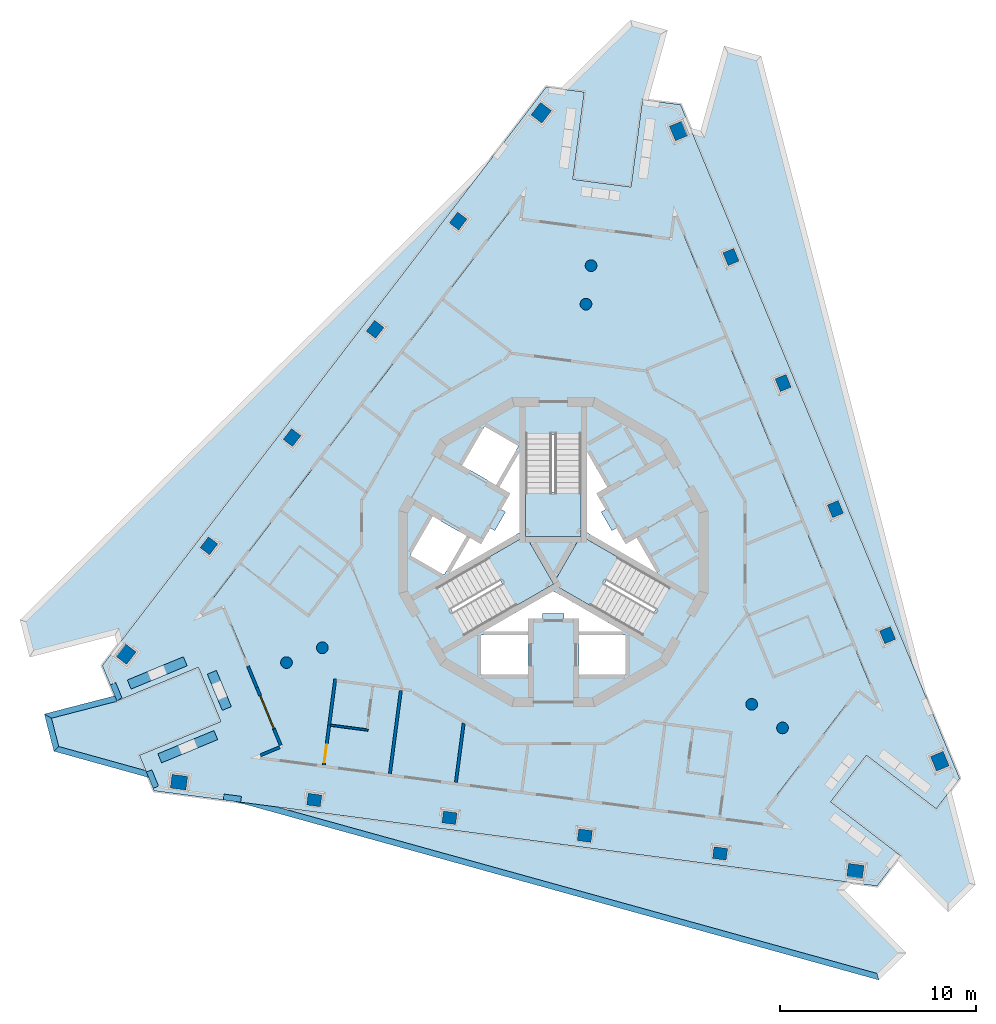
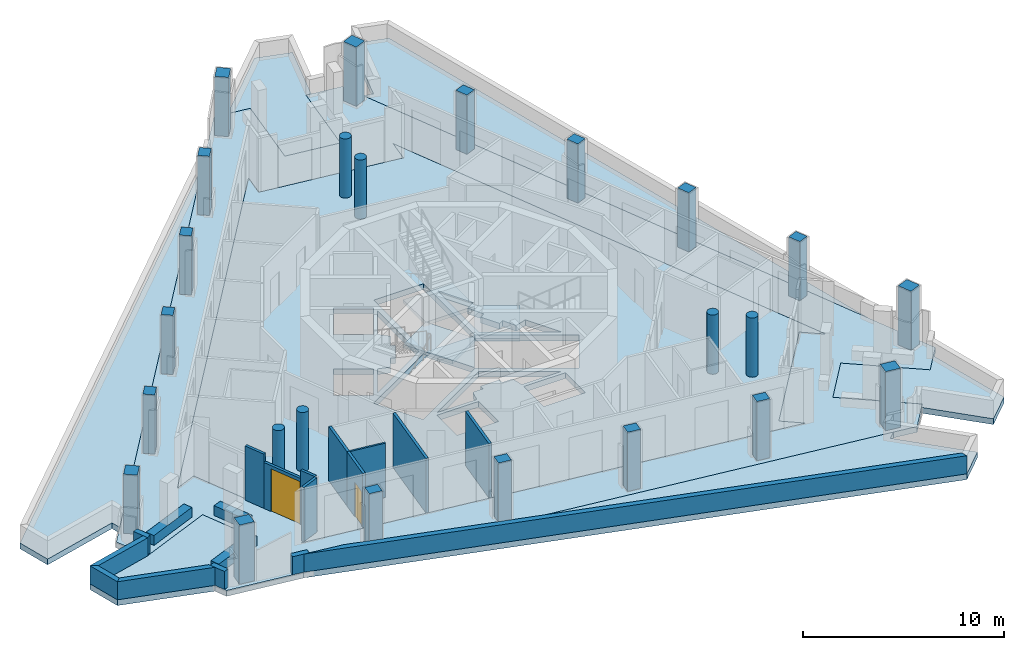
# One storey, part 1 of 12: 24 columns, 19 walls, 12 slabs, 2 doors, 2 openings, 3 elements without a shape of their own.
"""IFC4 building model written with IfcOpenShell, lengths in metres."""

from ifc_helpers import new_model, si_unit, direction, frame, frame_2d, origin, origin_2d, place, context, subcontext, project, spatial, polyline, rectangle, circle, outline, extrude, material, layer, layer_set, material_profile, profile_set, type_object, element, fill, aggregate, save


model = new_model("IFC4")

# Units and contexts
model_context = context("Model", 3, precision=1e-05, world=origin(), true_north=direction((0.0, 1.0)))
body_context = subcontext(model_context, "Body", "Model", "MODEL_VIEW")
ifc_project = project(units=[si_unit("LENGTHUNIT", "METRE"), si_unit("AREAUNIT", "SQUARE_METRE"), si_unit("VOLUMEUNIT", "CUBIC_METRE"), si_unit("PLANEANGLEUNIT", "RADIAN"), si_unit("MASSUNIT", "GRAM", prefix="KILO")], contexts=[model_context])

# Site, building, storey
site_placement = place(None, origin())
site = spatial("IfcSite", under=ifc_project, at=site_placement, CompositionType="ELEMENT")
building_placement = place(site_placement, origin())
building = spatial("IfcBuilding", under=site, at=building_placement, Name="Trine Commons Tower", CompositionType="ELEMENT")
storey_placement = place(building_placement, frame((0.0, 0.0, 271.800048828125)))
storey = spatial("IfcBuildingStorey", under=building, at=storey_placement, Name="L71", CompositionType="ELEMENT", Elevation=271.800048828125)

# Columns
ifc_material_1 = material(Name="Concrete C50/60", Category="concrete")
ifc_material_profile_1 = material_profile(ifc_material_1, rectangle(XDim=0.699951171875, YDim=0.60009765625, at=origin_2d()), Name="RC 700x600")
ifc_profile_set_1 = profile_set([ifc_material_profile_1], Name="Concrete C50/60")
column_type_1 = type_object("IfcColumnType", Name="RC column 700x600, C50/60", PredefinedType="COLUMN", material=ifc_profile_set_1)
for number, where, z_axis, x_axis, name in (
    (1, (88.521728515625, 47.098876953125, -0.35009765625), (0.0, 0.0, 1.0), (-0.991444861374, 0.13052619222, 0.0), "Column PC8-02 L71"),
    (2, (81.608642578125, 48.009033203125, -0.35009765625), (0.0, 0.0, 1.0), (-0.991444861374, 0.13052619222, 0.0), "Column PC8-03 L71"),
    (3, (74.695556640625, 48.919189453125, -0.35009765625), (0.0, 0.0, 1.0), (-0.991444861374, 0.13052619222, 0.0), "Column PC8-04 L71"),
    (4, (67.782470703125, 49.8291015625, -0.35009765625), (0.0, 0.0, 1.0), (-0.991444861374, 0.13052619222, 0.0), "Column PC8-05 L71"),
    (5, (62.4013671875, 62.820556640625, -0.35009765625), (0.0, 0.0, 1.0), (0.608761429009, 0.793353340291, 0.0), "Column PC8-08 L71"),
    (6, (66.64599609375, 68.352294921875, -0.35009765625), (0.0, 0.0, 1.0), (0.608761429009, 0.793353340291, 0.0), "Column PC8-09 L71"),
    (7, (70.890869140625, 73.88427734375, -0.35009765625), (0.0, 0.0, 1.0), (0.608761429009, 0.793353340291, 0.0), "Column PC8-10 L71"),
    (8, (75.135498046875, 79.416015625, -0.35009765625), (0.0, 0.0, 1.0), (0.608761429009, 0.793353340291, 0.0), "Column PC8-11 L71"),
    (9, (89.076904296875, 77.58056640625, -0.35009765625), (0.0, 0.0, 1.0), (-0.382683432365, 0.923879532511, 0.0), "Column PC8-14 L71"),
    (10, (91.745361328125, 71.138671875, -0.35009765625), (0.0, 0.0, 1.0), (-0.382683432365, 0.923879532511, 0.0), "Column PC8-15 L71"),
    (11, (94.41357421875, 64.69677734375, -0.35009765625), (0.0, 0.0, 1.0), (-0.382683432365, 0.923879532511, 0.0), "Column PC8-16 L71"),
    (12, (97.081787109375, 58.254638671875, -0.35009765625), (0.0, 0.0, 1.0), (-0.382683432365, 0.923879532511, 0.0), "Column PC8-17 L71"),
):
    element("IfcColumn", number, at=place(storey_placement, frame(where, z_axis=z_axis, x_axis=x_axis)), inside=storey, type_object=column_type_1, Name=name, PredefinedType="COLUMN", context=body_context, shape_type="SweptSolid", body=[
        extrude(rectangle(XDim=0.699951171875, YDim=0.60009765625, at=origin_2d()), origin(), (0.0, 0.0, 1.0), 3.949951171875),
    ])
ifc_material_profile_2 = material_profile(ifc_material_1, rectangle(XDim=0.800048828125, YDim=0.699951171875, at=origin_2d()), Name="RC 800x700")
ifc_profile_set_2 = profile_set([ifc_material_profile_2], Name="Concrete C50/60")
column_type_2 = type_object("IfcColumnType", Name="RC column 800x700, C50/60", PredefinedType="COLUMN", material=ifc_profile_set_2)
for number, where, z_axis, x_axis, name in (
    (13, (95.434814453125, 46.188720703125, -0.35009765625), (0.0, 0.0, 1.0), (-0.991444861374, 0.13052619222, 0.0), "Column PC8-01 L71"),
    (14, (60.869384765625, 50.7392578125, -0.35009765625), (0.0, 0.0, 1.0), (-0.991444861374, 0.13052619222, 0.0), "Column PC8-06 L71"),
    (15, (58.156494140625, 57.288818359375, -0.35009765625), (0.0, 0.0, 1.0), (0.608761429009, 0.793353340291, 0.0), "Column PC8-07 L71"),
    (16, (79.380126953125, 84.947998046875, -0.35009765625), (0.0, 0.0, 1.0), (0.608761429009, 0.793353340291, 0.0), "Column PC8-12 L71"),
    (17, (86.40869140625, 84.022705078125, -0.35009765625), (0.0, 0.0, 1.0), (-0.382683432365, 0.923879532511, 0.0), "Column PC8-13 L71"),
    (18, (99.750244140625, 51.812744140625, -0.35009765625), (0.0, 0.0, 1.0), (-0.382683432365, 0.923879532511, 0.0), "Column PC8-18 L71"),
):
    element("IfcColumn", number, at=place(storey_placement, frame(where, z_axis=z_axis, x_axis=x_axis)), inside=storey, type_object=column_type_2, Name=name, PredefinedType="COLUMN", context=body_context, shape_type="SweptSolid", body=[
        extrude(rectangle(XDim=0.800048828125, YDim=0.699951171875, at=origin_2d()), origin(), (0.0, 0.0, 1.0), 3.949951171875),
    ])
ifc_material_profile_3 = material_profile(ifc_material_1, circle(Radius=0.300048828125, at=origin_2d()), Name="RC round 600")
ifc_profile_set_3 = profile_set([ifc_material_profile_3], Name="Concrete C50/60")
column_type_3 = type_object("IfcColumnType", Name="RC round column 600 mm, C50/60", PredefinedType="COLUMN", material=ifc_profile_set_3)
for number, where, z_axis, x_axis, name in (
    (19, (90.137451171875, 54.72119140625, -0.35009765625), (0.0, 0.0, 1.0), (1.0, 0.0, 0.0), "Column WC8-1 L71"),
    (20, (91.711669921875, 53.513427734375, -0.35009765625), (0.0, 0.0, 1.0), (1.0, 0.0, 0.0), "Column WC8-2 L71"),
    (21, (81.66796875, 75.168701171875, -0.35009765625), (0.0, 0.0, 1.0), (1.0, 0.0, 0.0), "Column WC8-3 L71"),
    (22, (81.927001953125, 77.135986328125, -0.35009765625), (0.0, 0.0, 1.0), (1.0, 0.0, 0.0), "Column WC8-4 L71"),
    (23, (68.194580078125, 57.610107421875, -0.35009765625), (0.0, 0.0, 1.0), (1.0, 0.0, 0.0), "Column WC8-5 L71"),
    (24, (66.361572265625, 56.850830078125, -0.35009765625), (0.0, 0.0, 1.0), (1.0, 0.0, 0.0), "Column WC8-6 L71"),
):
    element("IfcColumn", number, at=place(storey_placement, frame(where, z_axis=z_axis, x_axis=x_axis)), inside=storey, type_object=column_type_3, Name=name, PredefinedType="COLUMN", context=body_context, shape_type="SweptSolid", body=[
        extrude(circle(Radius=0.300048828125, at=origin_2d()), origin(), (0.0, 0.0, 1.0), 3.949951171875),
    ])

# Slabs
ifc_material_2 = material(Name="Concrete C40/50", Category="concrete")
ifc_layer_1 = layer(ifc_material_2, 0.35009765625)
ifc_layer_set_1 = layer_set([ifc_layer_1], Name="Concrete C40/50")
slab_type_1 = type_object("IfcSlabType", Name="Loggia slab 350 mm, C40/50", PredefinedType="FLOOR", material=ifc_layer_set_1)
slab_1_placement = place(storey_placement, frame((0.0, 0.0, -0.35009765625)))
element("IfcSlab", 25, at=slab_1_placement, inside=storey, type_object=slab_type_1, Name="Loggia slab L71", PredefinedType="FLOOR", context=body_context, shape_type="SweptSolid", body=[
    extrude(outline(polyline([(100.763916015625, 50.933837890625), (86.503662109375, 85.36083984375), (84.556396484375, 85.6171875), (83.968994140625, 81.15576171875), (80.99462890625, 81.54736328125), (81.58203125, 86.0087890625), (79.634765625, 86.26513671875), (56.9501953125, 56.701904296875), (57.70166015625, 54.88720703125), (61.859130859375, 56.609375), (63.007080078125, 53.837890625), (58.849853515625, 52.11572265625), (59.601318359375, 50.301025390625), (96.546142578125, 45.437255859375), (97.741943359375, 46.99560546875), (94.171875, 49.73486328125), (95.998046875, 52.114990234375), (99.568115234375, 49.37548828125), (100.763916015625, 50.933837890625)]), holes=[polyline([(63.158203125, 59.7451171875), (66.14306640625, 52.538818359375), (64.900390625, 52.024169921875), (91.873779296875, 48.47314453125), (90.806640625, 49.2919921875), (95.55517578125, 55.47998046875), (96.6220703125, 54.6611328125), (86.210693359375, 79.79638671875), (86.03515625, 78.462890625), (78.302001953125, 79.481201171875), (78.4775390625, 80.814697265625), (61.915283203125, 59.23046875), (63.158203125, 59.7451171875)])]), origin(), (0.0, 0.0, 1.0), 0.35009765625),
])
ifc_layer_2 = layer(ifc_material_2, 0.35009765625)
ifc_layer_set_2 = layer_set([ifc_layer_2], Name="Concrete C40/50")
slab_type_2 = type_object("IfcSlabType", Name="PT flat slab 350 mm, C40/50", PredefinedType="FLOOR", material=ifc_layer_set_2)
slab_2_placement = place(storey_placement, frame((0.0, 0.0, -0.35009765625)))
element("IfcSlab", 26, at=slab_2_placement, inside=storey, type_object=slab_type_2, Name="Floor slab L71", PredefinedType="FLOOR", context=body_context, shape_type="SweptSolid", body=[
    extrude(outline(polyline([(61.915283203125, 59.23046875), (63.158203125, 59.7451171875), (66.14306640625, 52.538818359375), (64.900390625, 52.024169921875), (91.873779296875, 48.47314453125), (90.806640625, 49.2919921875), (95.55517578125, 55.47998046875), (96.6220703125, 54.6611328125), (86.210693359375, 79.79638671875), (86.03515625, 78.462890625), (78.302001953125, 79.481201171875), (78.4775390625, 80.814697265625), (61.915283203125, 59.23046875)]), holes=[polyline([(78.699951171875, 56.25), (78.699951171875, 58.25), (76.300048828125, 58.25), (76.300048828125, 56.25), (78.699951171875, 56.25)]), polyline([(83.699951171875, 56.25), (83.699951171875, 58.25), (81.300048828125, 58.25), (81.300048828125, 56.25), (83.699951171875, 56.25)]), polyline([(81.300048828125, 58.449951171875), (83.56494140625, 58.449951171875), (80.0, 60.508056640625), (76.43505859375, 58.449951171875), (78.699951171875, 58.449951171875), (78.85009765625, 59.10009765625), (79.449951171875, 59.10009765625), (79.449951171875, 59.360107421875), (80.550048828125, 59.360107421875), (80.550048828125, 59.10009765625), (81.14990234375, 59.10009765625), (81.300048828125, 58.449951171875)]), polyline([(81.425048828125, 63.32275390625), (81.425048828125, 68.490478515625), (78.574951171875, 68.490478515625), (78.574951171875, 63.32275390625), (74.099609375, 60.73876953125), (75.5244140625, 58.2705078125), (80.0, 60.8544921875), (84.4755859375, 58.2705078125), (85.900390625, 60.73876953125), (81.425048828125, 63.32275390625)]), polyline([(72.687255859375, 62.333984375), (74.41943359375, 61.333984375), (75.5693359375, 63.325927734375), (73.83740234375, 64.325927734375), (72.687255859375, 62.333984375)]), polyline([(76.381103515625, 63.031005859375), (75.742919921875, 63.22607421875), (74.7099609375, 61.43798828125), (78.27490234375, 63.49609375), (78.27490234375, 67.612060546875), (77.242919921875, 65.823974609375), (77.73095703125, 65.368896484375), (77.3310546875, 64.676025390625), (77.555908203125, 64.5458984375), (77.006103515625, 63.593994140625), (76.781005859375, 63.722900390625), (76.381103515625, 63.031005859375)]), polyline([(82.993896484375, 63.593994140625), (82.444091796875, 64.5458984375), (82.72705078125, 64.7099609375), (82.281005859375, 65.549072265625), (82.757080078125, 65.823974609375), (81.72509765625, 67.612060546875), (81.72509765625, 63.49609375), (85.2900390625, 61.43798828125), (84.257080078125, 63.22607421875), (83.618896484375, 63.031005859375), (83.243896484375, 63.738037109375), (82.993896484375, 63.593994140625)]), polyline([(76.4873046875, 68.916015625), (75.33740234375, 66.924072265625), (77.0693359375, 65.924072265625), (78.219482421875, 67.916015625), (76.4873046875, 68.916015625)])]), origin(), (0.0, 0.0, 1.0), 0.35009765625),
])
slab_3_placement = place(storey_placement, frame((0.0, 0.0, -0.35009765625)))
element("IfcSlab", 27, at=slab_3_placement, inside=storey, type_object=slab_type_2, Name="Floor slab L71 2", PredefinedType="FLOOR", context=body_context, shape_type="SweptSolid", body=[
    extrude(outline(polyline([(81.38671875, 63.300537109375), (78.61328125, 63.300537109375), (80.0, 60.89892578125), (81.38671875, 63.300537109375)])), origin(), (0.0, 0.0, 1.0), 0.35009765625),
])
ifc_layer_3 = layer(ifc_material_2, 0.35009765625)
ifc_layer_set_3 = layer_set([ifc_layer_3], Name="Concrete C40/50")
slab_type_3 = type_object("IfcSlabType", Name="Roof slab 350 mm, C40/50", PredefinedType="ROOF", material=ifc_layer_set_3)
slab_4_placement = place(storey_placement, frame((0.0, 0.0, -0.35009765625)))
element("IfcSlab", 28, at=slab_4_placement, inside=storey, type_object=slab_type_3, Name="Roof slab L71 1", PredefinedType="ROOF", context=body_context, shape_type="SweptSolid", body=[
    extrude(outline(polyline([(59.3203125, 50.979736328125), (58.849853515625, 52.11572265625), (63.007080078125, 53.837890625), (61.859130859375, 56.609375), (57.70166015625, 54.88720703125), (57.5908203125, 55.1552734375), (53.98828125, 54.2236328125), (54.47998046875, 52.322021484375), (59.3203125, 50.979736328125)])), origin(), (0.0, 0.0, 1.0), 0.35009765625),
])
slab_5_placement = place(storey_placement, frame((0.0, 0.0, -0.35009765625)))
element("IfcSlab", 29, at=slab_5_placement, inside=storey, type_object=slab_type_3, Name="Roof slab L71 2", PredefinedType="ROOF", context=body_context, shape_type="SweptSolid", body=[
    extrude(outline(polyline([(57.73193359375, 57.720703125), (77.102783203125, 82.965576171875), (52.745361328125, 59.029541015625), (53.2373046875, 57.1279296875), (57.593994140625, 58.254638671875), (57.73193359375, 57.720703125)])), origin(), (0.0, 0.0, 1.0), 0.35009765625),
])
slab_6_placement = place(storey_placement, frame((0.0, 0.0, -0.35009765625)))
element("IfcSlab", 30, at=slab_6_placement, inside=storey, type_object=slab_type_3, Name="Roof slab L71 3", PredefinedType="ROOF", context=body_context, shape_type="SweptSolid", body=[
    extrude(outline(polyline([(80.363037109375, 86.169189453125), (81.58203125, 86.0087890625), (80.99462890625, 81.54736328125), (83.968994140625, 81.15576171875), (84.556396484375, 85.6171875), (84.843994140625, 85.579345703125), (85.838134765625, 89.1650390625), (83.945556640625, 89.68994140625), (80.363037109375, 86.169189453125)])), origin(), (0.0, 0.0, 1.0), 0.35009765625),
])
slab_7_placement = place(storey_placement, frame((0.0, 0.0, -0.35009765625)))
element("IfcSlab", 31, at=slab_7_placement, inside=storey, type_object=slab_type_3, Name="Roof slab L71 4", PredefinedType="ROOF", context=body_context, shape_type="SweptSolid", body=[
    extrude(outline(polyline([(95.27294921875, 45.60498046875), (63.724853515625, 49.75830078125), (96.6328125, 40.632080078125), (98.03369140625, 42.0087890625), (94.879638671875, 45.218505859375), (95.27294921875, 45.60498046875)])), origin(), (0.0, 0.0, 1.0), 0.35009765625),
])
slab_8_placement = place(storey_placement, frame((0.0, 0.0, -0.35009765625)))
element("IfcSlab", 32, at=slab_8_placement, inside=storey, type_object=slab_type_3, Name="Roof slab L71 5", PredefinedType="ROOF", context=body_context, shape_type="SweptSolid", body=[
    extrude(outline(polyline([(86.9951171875, 84.17431640625), (99.17236328125, 54.776123046875), (90.621826171875, 87.83837890625), (88.72900390625, 88.36328125), (87.526611328125, 84.02685546875), (86.9951171875, 84.17431640625)])), origin(), (0.0, 0.0, 1.0), 0.35009765625),
])
slab_9_placement = place(storey_placement, frame((0.0, 0.0, -0.35009765625)))
element("IfcSlab", 33, at=slab_9_placement, inside=storey, type_object=slab_type_3, Name="Roof slab L71 6", PredefinedType="ROOF", context=body_context, shape_type="SweptSolid", body=[
    extrude(outline(polyline([(101.57421875, 45.488037109375), (100.316650390625, 50.35107421875), (99.568115234375, 49.37548828125), (95.998046875, 52.114990234375), (94.171875, 49.73486328125), (97.741943359375, 46.99560546875), (97.5654296875, 46.765380859375), (100.17333984375, 44.111572265625), (101.57421875, 45.488037109375)])), origin(), (0.0, 0.0, 1.0), 0.35009765625),
])

# Stair, slab
stair_type = type_object("IfcStairType", Name="Exit stair, dog-leg, 24 risers of 150 mm", PredefinedType="HALF_TURN_STAIR", material=ifc_material_1)
stair_1_placement = place(storey_placement, origin())
stair_1 = element("IfcStair", 34, at=stair_1_placement, inside=storey, type_object=stair_type, Name="L71 Exit stair ST1D", PredefinedType="HALF_TURN_STAIR")
ifc_layer_4 = layer(ifc_material_1, 0.199951171875)
ifc_layer_set_4 = layer_set([ifc_layer_4], Name="Concrete C50/60")
slab_type_4 = type_object("IfcSlabType", Name="Stair landing slab 200 mm, C50/60", PredefinedType="LANDING", material=ifc_layer_set_4)
slab_10_placement = place(storey_placement, frame((0.0, 0.0, 1.599853515625)))
slab_10 = element("IfcSlab", 35, at=slab_10_placement, type_object=slab_type_4, Name="ST1D landing 1", PredefinedType="LANDING", context=body_context, shape_type="SweptSolid", body=[
    extrude(outline(polyline([(78.574951171875, 65.570556640625), (78.574951171875, 63.300537109375), (81.425048828125, 63.300537109375), (81.425048828125, 65.570556640625), (78.574951171875, 65.570556640625)])), origin(), (0.0, 0.0, 1.0), 0.2001953125),
])
aggregate(stair_1, [slab_10])

stair_2_placement = place(storey_placement, origin())
stair_2 = element("IfcStair", 36, at=stair_2_placement, inside=storey, type_object=stair_type, Name="L71 Exit stair ST2D", PredefinedType="HALF_TURN_STAIR")
slab_11_placement = place(storey_placement, frame((0.0, 0.0, 1.599853515625)))
slab_11 = element("IfcSlab", 37, at=slab_11_placement, type_object=slab_type_4, Name="ST2D landing 1", PredefinedType="LANDING", context=body_context, shape_type="SweptSolid", body=[
    extrude(outline(polyline([(78.05322265625, 59.730712890625), (80.019287109375, 60.86572265625), (78.59423828125, 63.333740234375), (76.628173828125, 62.19873046875), (78.05322265625, 59.730712890625)])), origin(), (0.0, 0.0, 1.0), 0.2001953125),
])
aggregate(stair_2, [slab_11])

stair_3_placement = place(storey_placement, origin())
stair_3 = element("IfcStair", 38, at=stair_3_placement, inside=storey, type_object=stair_type, Name="L71 Exit stair ST3D", PredefinedType="HALF_TURN_STAIR")
slab_12_placement = place(storey_placement, frame((0.0, 0.0, 1.599853515625)))
slab_12 = element("IfcSlab", 39, at=slab_12_placement, type_object=slab_type_4, Name="ST3D landing 1", PredefinedType="LANDING", context=body_context, shape_type="SweptSolid", body=[
    extrude(outline(polyline([(83.371826171875, 62.19873046875), (81.40576171875, 63.333740234375), (79.980712890625, 60.86572265625), (81.94677734375, 59.730712890625), (83.371826171875, 62.19873046875)])), origin(), (0.0, 0.0, 1.0), 0.2001953125),
])
aggregate(stair_3, [slab_12])

# Walls
ifc_material_3 = material(Name="Aluminium-framed insulated wall panel", Category="aluminium")
ifc_layer_5 = layer(ifc_material_3, 0.14990234375)
ifc_layer_set_5 = layer_set([ifc_layer_5], Name="Aluminium-framed insulated wall panel")
wall_type_1 = type_object("IfcWallType", Name="Glazed frame wall 150, EI 60", PredefinedType="SOLIDWALL", material=ifc_layer_set_5)
wall_1_placement = place(storey_placement, frame((64.886962890625, 52.056396484375, 0.0), z_axis=(0.0, 0.0, 1.0), x_axis=(0.923837625967, 0.382784588048, 0.0)))
element("IfcWall", 40, at=wall_1_placement, inside=storey, type_object=wall_type_1, Name="Glazed frame wall R10", PredefinedType="SOLIDWALL", context=body_context, shape_type="SweptSolid", body=[
    extrude(outline(polyline([(0.1494140625, 0.074951171875), (0.1494140625, -0.074951171875), (1.235107421875, -0.074951171875), (1.235107421875, 0.074951171875), (0.1494140625, 0.074951171875)])), origin(), (0.0, 0.0, 1.0), 3.300048828125),
])
wall_2_placement = place(storey_placement, frame((66.110595703125, 52.525390625, 0.0), z_axis=(0.0, 0.0, 1.0), x_axis=(-0.382517086072, 0.923948417858, 0.0)))
element("IfcWall", 41, at=wall_2_placement, inside=storey, type_object=wall_type_1, Name="Glazed frame wall P3.1", PredefinedType="SOLIDWALL", context=body_context, shape_type="SweptSolid", body=[
    extrude(outline(polyline([(0.110107421875, -0.074951171875), (1.0, -0.074951171875), (1.0, 0.074951171875), (0.110107421875, 0.074951171875), (0.110107421875, -0.074951171875)])), origin(), (0.0, 0.0, 1.0), 3.300048828125),
])

# Wall, opening, door
wall_3_placement = place(storey_placement, frame((65.72802734375, 53.449462890625, 0.0), z_axis=(0.0, 0.0, 1.0), x_axis=(-0.382693948857, 0.923875176368, 0.0)))
wall_3 = element("IfcWall", 42, at=wall_3_placement, inside=storey, type_object=wall_type_1, Name="Glazed frame wall P3.2", PredefinedType="SOLIDWALL", context=body_context, shape_type="SweptSolid", body=[
    extrude(outline(polyline([(0.0, -0.074951171875), (2.310791015625, -0.074951171875), (2.310791015625, 0.074951171875), (0.0, 0.074951171875), (0.0, -0.074951171875)])), origin(), (0.0, 0.0, 1.0), 2.800048828125),
])
opening_1_placement = place(wall_3_placement, frame((0.050048828125, 0.0, 0.0)))
opening_1 = element("IfcOpeningElement", 43, at=opening_1_placement, cuts=wall_3, Name="Opening BD-8P3-01", PredefinedType="OPENING", context=body_context, shape_type="SweptSolid", body=[
    extrude(rectangle(XDim=1.800048828125, YDim=2.60009765625, at=frame_2d((0.89990234375, 1.300048828125))), frame((0.0, 0.0849609375, 0.0), z_axis=(0.0, -1.0, 0.0), x_axis=(1.0, 0.0, 0.0)), (0.0, 0.0, 1.0), 0.169921875),
])
ifc_material_4 = material(Name="Anodised aluminium frame with double glazing", Category="aluminium")
door_type_1 = type_object("IfcDoorType", Name="Sliding loggia door 1800x2600", OperationType="SLIDING_TO_LEFT", PredefinedType="DOOR", material=ifc_material_4)
door_1_placement = place(opening_1_placement, origin())
door_1 = element("IfcDoor", 44, at=door_1_placement, inside=storey, type_object=door_type_1, Name="Loggia door P3 1", OperationType="SLIDING_TO_LEFT", OverallHeight=2.60009765625, OverallWidth=1.800048828125, PredefinedType="DOOR", context=body_context, shape_type="SweptSolid", body=[
    extrude(rectangle(XDim=1.800048828125, YDim=2.60009765625, at=frame_2d((0.89990234375, 1.300048828125))), frame((0.0, 0.02490234375, 0.0), z_axis=(0.0, -1.0, 0.0), x_axis=(1.0, 0.0, 0.0)), (0.0, 0.0, 1.0), 0.050048828125),
])
fill(opening_1, door_1)

# Walls
wall_4_placement = place(storey_placement, frame((64.84375, 55.584228515625, 0.0), z_axis=(0.0, 0.0, 1.0), x_axis=(-0.382790839847, 0.923835035561, 0.0)))
element("IfcWall", 45, at=wall_4_placement, inside=storey, type_object=wall_type_1, Name="Glazed frame wall P3.3", PredefinedType="SOLIDWALL", context=body_context, shape_type="SweptSolid", body=[
    extrude(outline(polyline([(0.0, -0.074951171875), (1.1787109375, -0.074951171875), (1.1787109375, 0.074951171875), (0.0, 0.074951171875), (0.0, -0.074951171875)])), origin(), (0.0, 0.0, 1.0), 3.300048828125),
])
ifc_material_5 = material(Name="Planter trough, precast concrete C40/50", Category="concrete")
ifc_layer_6 = layer(ifc_material_5, 0.5)
ifc_layer_set_6 = layer_set([ifc_layer_6], Name="Planter trough, precast concrete C40/50")
wall_type_2 = type_object("IfcWallType", Name="Planter trough 500x600", PredefinedType="PARAPET", material=ifc_layer_set_6)
wall_5_placement = place(storey_placement, frame((59.887939453125, 51.961181640625, 0.0), z_axis=(0.0, 0.0, 1.0), x_axis=(0.923883411188, 0.382674068277, 0.0)))
element("IfcWall", 46, at=wall_5_placement, inside=storey, type_object=wall_type_2, Name="Planter 1", PredefinedType="PARAPET", context=body_context, shape_type="SweptSolid", body=[
    extrude(rectangle(XDim=3.099853515625, YDim=0.5, at=frame_2d((1.5498046875, 0.0))), origin(), (0.0, 0.0, 1.0), 0.599853515625),
])
wall_6_placement = place(storey_placement, frame((63.314697265625, 54.50634765625, 0.0), z_axis=(0.0, 0.0, 1.0), x_axis=(-0.382707581205, 0.923869529365, 0.0)))
element("IfcWall", 47, at=wall_6_placement, inside=storey, type_object=wall_type_2, Name="Planter 2", PredefinedType="PARAPET", context=body_context, shape_type="SweptSolid", body=[
    extrude(rectangle(XDim=2.0, YDim=0.5, at=frame_2d((1.0, 0.0))), origin(), (0.0, 0.0, 1.0), 0.599853515625),
])
wall_7_placement = place(storey_placement, frame((61.190673828125, 56.9169921875, 0.0), z_axis=(0.0, 0.0, 1.0), x_axis=(-0.923883411188, -0.382674068277, 0.0)))
element("IfcWall", 48, at=wall_7_placement, inside=storey, type_object=wall_type_2, Name="Planter 3", PredefinedType="PARAPET", context=body_context, shape_type="SweptSolid", body=[
    extrude(rectangle(XDim=3.099853515625, YDim=0.5, at=frame_2d((1.5498046875, 0.0))), origin(), (0.0, 0.0, 1.0), 0.599853515625),
])
ifc_material_6 = material(Name="Limestone, honed", Category="masonry")
ifc_layer_7 = layer(ifc_material_6, 0.300048828125)
ifc_layer_set_7 = layer_set([ifc_layer_7], Name="Limestone, honed")
wall_type_3 = type_object("IfcWallType", Name="Stone parapet 300", PredefinedType="PARAPET", material=ifc_layer_set_7)
wall_8_placement = place(storey_placement, origin())
element("IfcWall", 49, at=wall_8_placement, inside=storey, type_object=wall_type_3, Name="Sliver roof parapet L70 1.1", PredefinedType="PARAPET", context=body_context, shape_type="SweptSolid", body=[
    extrude(outline(polyline([(57.5908203125, 55.1552734375), (53.98828125, 54.2236328125), (54.35400390625, 54.00830078125), (57.706787109375, 54.875244140625), (57.5908203125, 55.1552734375)])), origin(), (0.0, 0.0, 1.0), 1.099853515625),
])
wall_9_placement = place(storey_placement, origin())
element("IfcWall", 50, at=wall_9_placement, inside=storey, type_object=wall_type_3, Name="Sliver roof parapet L70 1.2", PredefinedType="PARAPET", context=body_context, shape_type="SweptSolid", body=[
    extrude(outline(polyline([(53.98828125, 54.2236328125), (54.47998046875, 52.322021484375), (54.727294921875, 52.564697265625), (54.35400390625, 54.00830078125), (53.98828125, 54.2236328125)])), origin(), (0.0, 0.0, 1.0), 1.099853515625),
])
wall_10_placement = place(storey_placement, origin())
element("IfcWall", 51, at=wall_10_placement, inside=storey, type_object=wall_type_3, Name="Sliver roof parapet L70 1.3", PredefinedType="PARAPET", context=body_context, shape_type="SweptSolid", body=[
    extrude(outline(polyline([(54.47998046875, 52.322021484375), (59.3203125, 50.979736328125), (59.174560546875, 51.331298828125), (54.727294921875, 52.564697265625), (54.47998046875, 52.322021484375)])), origin(), (0.0, 0.0, 1.0), 1.099853515625),
])
wall_11_placement = place(storey_placement, origin())
element("IfcWall", 52, at=wall_11_placement, inside=storey, type_object=wall_type_3, Name="Sliver roof parapet extension L70 1.X1", PredefinedType="PARAPET", context=body_context, shape_type="SweptSolid", body=[
    extrude(outline(polyline([(57.568603515625, 55.208740234375), (57.6865234375, 54.92431640625), (57.711181640625, 54.89111328125), (57.711181640625, 54.89111328125), (57.95166015625, 55.0703125), (57.949462890625, 55.073486328125), (57.63818359375, 55.82421875), (57.361083984375, 55.70947265625), (57.568603515625, 55.208740234375)])), origin(), (0.0, 0.0, 1.0), 1.099853515625),
])
wall_12_placement = place(storey_placement, origin())
element("IfcWall", 53, at=wall_12_placement, inside=storey, type_object=wall_type_3, Name="Sliver roof parapet extension L70 1.X2", PredefinedType="PARAPET", context=body_context, shape_type="SweptSolid", body=[
    extrude(outline(polyline([(59.5498046875, 50.42529296875), (59.8271484375, 50.540283203125), (59.482666015625, 51.37158203125), (59.20556640625, 51.2568359375), (59.337646484375, 50.937744140625), (59.5498046875, 50.42529296875)])), origin(), (0.0, 0.0, 1.0), 1.099853515625),
])
wall_13_placement = place(storey_placement, origin())
element("IfcWall", 54, at=wall_13_placement, inside=storey, type_object=wall_type_3, Name="Sliver roof parapet L70 4.1", PredefinedType="PARAPET", context=body_context, shape_type="SweptSolid", body=[
    extrude(outline(polyline([(63.724853515625, 49.75830078125), (96.6328125, 40.632080078125), (96.546142578125, 40.967529296875), (65.862060546875, 49.476806640625), (63.724853515625, 49.75830078125)])), origin(), (0.0, 0.0, 1.0), 1.099853515625),
])
wall_14_placement = place(storey_placement, origin())
element("IfcWall", 55, at=wall_14_placement, inside=storey, type_object=wall_type_3, Name="Sliver roof parapet extension L70 4.X1", PredefinedType="PARAPET", context=body_context, shape_type="SweptSolid", body=[
    extrude(outline(polyline([(63.169189453125, 50.134033203125), (63.1298828125, 49.836669921875), (64.022216796875, 49.718994140625), (64.061279296875, 50.0166015625), (63.169189453125, 50.134033203125)])), origin(), (0.0, 0.0, 1.0), 1.099853515625),
])

# Wall, opening, door
ifc_material_7 = material(Name="Gypsum plasterboard on steel stud", Category="steel")
ifc_layer_8 = layer(ifc_material_7, 0.14990234375)
ifc_layer_set_8 = layer_set([ifc_layer_8], Name="Gypsum plasterboard on steel stud")
wall_type_4 = type_object("IfcWallType", Name="Unit and corridor wall 150 mm, EI 60", PredefinedType="PARTITIONING", material=ifc_layer_set_8)
wall_15_placement = place(storey_placement, frame((68.277099609375, 51.61962890625, 0.0), z_axis=(0.0, 0.0, 1.0), x_axis=(0.130234200459, 0.991483259077, 0.0)))
wall_15 = element("IfcWall", 56, at=wall_15_placement, inside=storey, type_object=wall_type_4, Name="Partition 007", PredefinedType="PARTITIONING", context=body_context, shape_type="SweptSolid", body=[
    extrude(rectangle(XDim=2.06396484375, YDim=0.14990234375, at=frame_2d((1.031982421875, 0.0))), origin(), (0.0, 0.0, 1.0), 3.300048828125),
])
opening_2_placement = place(wall_15_placement, frame((0.14990234375, 0.0, 0.0)))
opening_2 = element("IfcOpeningElement", 57, at=opening_2_placement, cuts=wall_15, Name="Opening D-8A19", PredefinedType="OPENING", context=body_context, shape_type="SweptSolid", body=[
    extrude(rectangle(XDim=0.89990234375, YDim=2.10009765625, at=frame_2d((0.449951171875, 1.050048828125))), frame((0.0, 0.0849609375, 0.0), z_axis=(0.0, -1.0, 0.0), x_axis=(1.0, 0.0, 0.0)), (0.0, 0.0, 1.0), 0.169921875),
])
ifc_material_8 = material(Name="Timber fire door set", Category="wood")
door_type_2 = type_object("IfcDoorType", Name="Bedroom door 900 x 2100, FD30S", OperationType="NOTDEFINED", PredefinedType="DOOR", material=ifc_material_8)
door_2_placement = place(opening_2_placement, frame((0.89990234375, 0.0, 0.0), z_axis=(0.0, 0.0, 1.0), x_axis=(-1.0, 0.0, 0.0)))
door_2 = element("IfcDoor", 58, at=door_2_placement, inside=storey, type_object=door_type_2, Name="Door D-8A19", OperationType="SINGLE_SWING_RIGHT", OverallHeight=2.10009765625, OverallWidth=0.89990234375, PredefinedType="DOOR", context=body_context, shape_type="SweptSolid", body=[
    extrude(rectangle(XDim=0.89990234375, YDim=2.10009765625, at=frame_2d((0.449951171875, 1.050048828125))), frame((0.0, 0.02490234375, 0.0), z_axis=(0.0, -1.0, 0.0), x_axis=(1.0, 0.0, 0.0)), (0.0, 0.0, 1.0), 0.050048828125),
])
fill(opening_2, door_2)

# Walls
wall_16_placement = place(storey_placement, frame((68.53857421875, 53.6083984375, 0.0), z_axis=(0.0, 0.0, 1.0), x_axis=(0.130524691554, 0.991445058939, 0.0)))
element("IfcWall", 59, at=wall_16_placement, inside=storey, type_object=wall_type_4, Name="Partition 008", PredefinedType="PARTITIONING", context=body_context, shape_type="SweptSolid", body=[
    extrude(rectangle(XDim=2.4296875, YDim=0.14990234375, at=frame_2d((1.21484375, 0.0))), origin(), (0.0, 0.0, 1.0), 3.300048828125),
])
wall_17_placement = place(storey_placement, frame((71.649169921875, 51.17578125, 0.0), z_axis=(0.0, 0.0, 1.0), x_axis=(0.130461881083, 0.991453325974, 0.0)))
element("IfcWall", 60, at=wall_17_placement, inside=storey, type_object=wall_type_4, Name="Partition 020", PredefinedType="PARTITIONING", context=body_context, shape_type="SweptSolid", body=[
    extrude(rectangle(XDim=4.285400390625, YDim=0.14990234375, at=frame_2d((2.142578125, 0.0))), origin(), (0.0, 0.0, 1.0), 3.300048828125),
])
wall_18_placement = place(storey_placement, frame((75.020263671875, 50.732666015625, 0.0), z_axis=(0.0, 0.0, 1.0), x_axis=(0.130558109067, 0.991440658918, 0.0)))
element("IfcWall", 61, at=wall_18_placement, inside=storey, type_object=wall_type_4, Name="Partition 026", PredefinedType="PARTITIONING", context=body_context, shape_type="SweptSolid", body=[
    extrude(rectangle(XDim=3.048095703125, YDim=0.14990234375, at=frame_2d((1.52392578125, 0.0))), origin(), (0.0, 0.0, 1.0), 3.300048828125),
])
ifc_layer_9 = layer(ifc_material_7, 0.10009765625)
ifc_layer_set_9 = layer_set([ifc_layer_9], Name="Gypsum plasterboard on steel stud")
wall_type_5 = type_object("IfcWallType", Name="Unit partition 100 mm, no rating", PredefinedType="PARTITIONING", material=ifc_layer_set_9)
wall_19_placement = place(storey_placement, frame((68.620361328125, 53.652099609375, 0.0), z_axis=(0.0, 0.0, 1.0), x_axis=(0.991493972536, -0.130152612055, 0.0)))
element("IfcWall", 62, at=wall_19_placement, inside=storey, type_object=wall_type_5, Name="Partition 009", PredefinedType="PARTITIONING", context=body_context, shape_type="SweptSolid", body=[
    extrude(rectangle(XDim=1.924560546875, YDim=0.10009765625, at=frame_2d((0.96240234375, 0.0))), origin(), (0.0, 0.0, 1.0), 3.300048828125),
])

save(model, "model.ifc")
